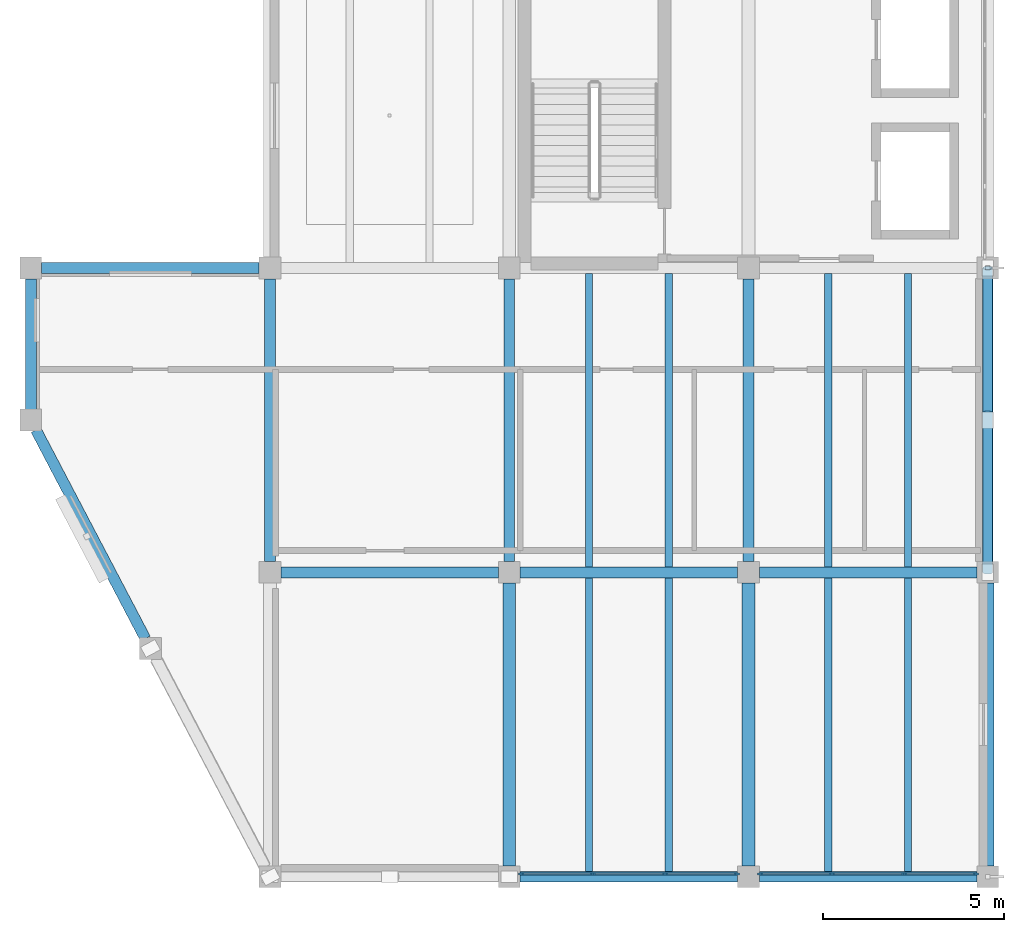
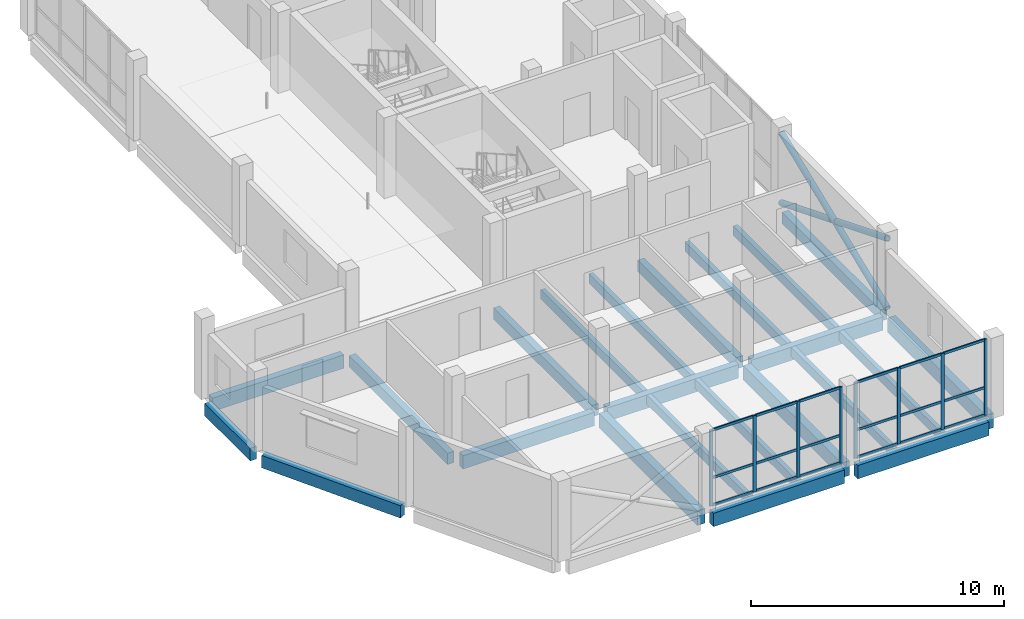
# One storey, part 2 of 12: 29 members, 23 beams, 2 elements without a shape of their own.
"""IFC4 building model written with IfcOpenShell, lengths in metres."""

from ifc_helpers import new_model, si_unit, direction, frame, origin, origin_2d, place, context, subcontext, project, spatial, rectangle, hollow_circle, extrude, material, material_profile, profile_set, type_object, element, aggregate, save


model = new_model("IFC4")

# Units and contexts
model_context = context("Model", 3, precision=1e-05, world=origin(), true_north=direction((0.0, 1.0)))
body_context = subcontext(model_context, "Body", "Model", "MODEL_VIEW")
ifc_project = project(units=[si_unit("LENGTHUNIT", "METRE"), si_unit("AREAUNIT", "SQUARE_METRE"), si_unit("VOLUMEUNIT", "CUBIC_METRE"), si_unit("PLANEANGLEUNIT", "RADIAN"), si_unit("MASSUNIT", "GRAM", prefix="KILO")], contexts=[model_context])

# Site, building, storey
site_placement = place(None, origin())
site = spatial("IfcSite", under=ifc_project, at=site_placement, CompositionType="ELEMENT")
building_placement = place(site_placement, origin())
building = spatial("IfcBuilding", under=site, at=building_placement, Name="Qaldarim Faculty of Natural and Applied Sciences", CompositionType="ELEMENT")
storey_placement = place(building_placement, frame((0.0, 0.0, 35.39990234375)))
storey = spatial("IfcBuildingStorey", under=building, at=storey_placement, Name="L08", CompositionType="ELEMENT", Elevation=35.39990234375)

# Beams
ifc_material_1 = material(Name="Concrete C40/50", Category="concrete")
ifc_material_profile_1 = material_profile(ifc_material_1, rectangle(XDim=0.300048828125, YDim=0.550048828125, at=origin_2d()), Name="RC-B300x550")
ifc_profile_set_1 = profile_set([ifc_material_profile_1], Name="Concrete C40/50")
beam_type_1 = type_object("IfcBeamType", Name="FloorBeam-RC300x550", PredefinedType="BEAM", material=ifc_profile_set_1)
for number, where, z_axis, x_axis, name in (
    (1, (158.39990234375, 8.699951171875, -0.494873046875), (0.0, 1.0, 0.0), (-1.0, 0.0, 0.0), "Beam RC-B300x550 L07 X25/Y02-Y03"),
    (2, (165.0, 8.699951171875, -0.494873046875), (0.0, 1.0, 0.0), (-1.0, 0.0, 0.0), "Beam RC-B300x550 L07 X26/Y02-Y03"),
    (3, (171.60009765625, 8.699951171875, -0.494873046875), (0.0, 1.0, 0.0), (-1.0, 0.0, 0.0), "Beam RC-B300x550 L07 X27/Y02-Y03"),
    (4, (178.199951171875, 8.699951171875, -0.494873046875), (0.0, 1.0, 0.0), (-1.0, 0.0, 0.0), "Beam RC-B300x550 L07 X28/Y02-Y03"),
):
    element("IfcBeam", number, at=place(storey_placement, frame(where, z_axis=z_axis, x_axis=x_axis)), inside=storey, type_object=beam_type_1, Name=name, PredefinedType="BEAM", context=body_context, shape_type="SweptSolid", body=[
        extrude(rectangle(XDim=0.300048828125, YDim=0.550048828125, at=origin_2d()), origin(), (0.0, 0.0, 1.0), 7.800048828125),
    ])
ifc_material_profile_2 = material_profile(ifc_material_1, rectangle(XDim=0.199951171875, YDim=0.449951171875, at=origin_2d()), Name="RC-J200x450")
ifc_profile_set_2 = profile_set([ifc_material_profile_2], Name="Concrete C40/50")
beam_type_2 = type_object("IfcBeamType", Name="LabJoist-RC200x450", PredefinedType="JOIST", material=ifc_profile_set_2)
for number, where, z_axis, x_axis, name in (
    (5, (167.199951171875, 0.14990234375, -0.44482421875), (0.0, 1.0, 0.0), (-1.0, 0.0, 0.0), "Laboratory joist L07 bay X26Y01-1"),
    (6, (169.39990234375, 0.14990234375, -0.44482421875), (0.0, 1.0, 0.0), (-1.0, 0.0, 0.0), "Laboratory joist L07 bay X26Y01-2"),
):
    element("IfcBeam", number, at=place(storey_placement, frame(where, z_axis=z_axis, x_axis=x_axis)), inside=storey, type_object=beam_type_2, Name=name, PredefinedType="JOIST", context=body_context, shape_type="SweptSolid", body=[
        extrude(rectangle(XDim=0.199951171875, YDim=0.449951171875, at=origin_2d()), origin(), (0.0, 0.0, 1.0), 8.10009765625),
    ])
for number, where, z_axis, x_axis, name in (
    (7, (167.199951171875, 8.550048828125, -0.44482421875), (0.0, 1.0, 0.0), (-1.0, 0.0, 0.0), "Laboratory joist L07 bay X26Y02-1"),
    (8, (169.39990234375, 8.550048828125, -0.44482421875), (0.0, 1.0, 0.0), (-1.0, 0.0, 0.0), "Laboratory joist L07 bay X26Y02-2"),
):
    element("IfcBeam", number, at=place(storey_placement, frame(where, z_axis=z_axis, x_axis=x_axis)), inside=storey, type_object=beam_type_2, Name=name, PredefinedType="JOIST", context=body_context, shape_type="SweptSolid", body=[
        extrude(rectangle(XDim=0.199951171875, YDim=0.449951171875, at=origin_2d()), origin(), (0.0, 0.0, 1.0), 8.099853515625),
    ])
for number, where, z_axis, x_axis, name in (
    (9, (173.800048828125, 0.14990234375, -0.44482421875), (0.0, 1.0, 0.0), (-1.0, 0.0, 0.0), "Laboratory joist L07 bay X27Y01-1"),
    (10, (176.0, 0.14990234375, -0.44482421875), (0.0, 1.0, 0.0), (-1.0, 0.0, 0.0), "Laboratory joist L07 bay X27Y01-2"),
):
    element("IfcBeam", number, at=place(storey_placement, frame(where, z_axis=z_axis, x_axis=x_axis)), inside=storey, type_object=beam_type_2, Name=name, PredefinedType="JOIST", context=body_context, shape_type="SweptSolid", body=[
        extrude(rectangle(XDim=0.199951171875, YDim=0.449951171875, at=origin_2d()), origin(), (0.0, 0.0, 1.0), 8.10009765625),
    ])
for number, where, z_axis, x_axis, name in (
    (11, (173.800048828125, 8.550048828125, -0.44482421875), (0.0, 1.0, 0.0), (-1.0, 0.0, 0.0), "Laboratory joist L07 bay X27Y02-1"),
    (12, (176.0, 8.550048828125, -0.44482421875), (0.0, 1.0, 0.0), (-1.0, 0.0, 0.0), "Laboratory joist L07 bay X27Y02-2"),
):
    element("IfcBeam", number, at=place(storey_placement, frame(where, z_axis=z_axis, x_axis=x_axis)), inside=storey, type_object=beam_type_2, Name=name, PredefinedType="JOIST", context=body_context, shape_type="SweptSolid", body=[
        extrude(rectangle(XDim=0.199951171875, YDim=0.449951171875, at=origin_2d()), origin(), (0.0, 0.0, 1.0), 8.099853515625),
    ])

# Curtain wall, members
ifc_material_2 = material(Name="Anodised aluminium AW-6063", Category="aluminium")
curtain_wall_type = type_object("IfcCurtainWallType", Name="CurtainWallSystem-M1800", PredefinedType="USERDEFINED", material=ifc_material_2)
curtain_wall_1_placement = place(storey_placement, origin())
curtain_wall_1 = element("IfcCurtainWall", 13, at=curtain_wall_1_placement, inside=storey, type_object=curtain_wall_type, Name="Curtain wall CW-L08-S-X26Y01", ObjectType="UNITISED FACADE", PredefinedType="USERDEFINED")
ifc_material_profile_3 = material_profile(ifc_material_2, rectangle(XDim=0.06005859375, YDim=0.14990234375, at=origin_2d()), Name="ALU-M60x150")
ifc_profile_set_3 = profile_set([ifc_material_profile_3], Name="Anodised aluminium AW-6063")
member_type_1 = type_object("IfcMemberType", Name="Mullion-ALU60x150", PredefinedType="MULLION", material=ifc_profile_set_3)
member_1_placement = place(storey_placement, frame((165.324951171875, 0.080078125, 0.0), z_axis=(0.0, 0.0, 1.0), x_axis=(0.0, 1.0, 0.0)))
member_1 = element("IfcMember", 14, at=member_1_placement, type_object=member_type_1, Name="Mullion 1 of CW-L08-S-X26Y01", PredefinedType="MULLION", context=body_context, shape_type="SweptSolid", body=[
    extrude(rectangle(XDim=0.06005859375, YDim=0.14990234375, at=origin_2d()), origin(), (0.0, 0.0, 1.0), 3.68017578125),
])
member_2_placement = place(storey_placement, frame((167.29833984375, 0.080078125, 0.0), z_axis=(0.0, 0.0, 1.0), x_axis=(0.0, 1.0, 0.0)))
member_2 = element("IfcMember", 15, at=member_2_placement, type_object=member_type_1, Name="Mullion 2 of CW-L08-S-X26Y01", PredefinedType="MULLION", context=body_context, shape_type="SweptSolid", body=[
    extrude(rectangle(XDim=0.06005859375, YDim=0.14990234375, at=origin_2d()), origin(), (0.0, 0.0, 1.0), 3.68017578125),
])
member_3_placement = place(storey_placement, frame((169.3017578125, 0.080078125, 0.0), z_axis=(0.0, 0.0, 1.0), x_axis=(0.0, 1.0, 0.0)))
member_3 = element("IfcMember", 16, at=member_3_placement, type_object=member_type_1, Name="Mullion 3 of CW-L08-S-X26Y01", PredefinedType="MULLION", context=body_context, shape_type="SweptSolid", body=[
    extrude(rectangle(XDim=0.06005859375, YDim=0.14990234375, at=origin_2d()), origin(), (0.0, 0.0, 1.0), 3.68017578125),
])
member_4_placement = place(storey_placement, frame((171.27490234375, 0.080078125, 0.0), z_axis=(0.0, 0.0, 1.0), x_axis=(0.0, 1.0, 0.0)))
member_4 = element("IfcMember", 17, at=member_4_placement, type_object=member_type_1, Name="Mullion 4 of CW-L08-S-X26Y01", PredefinedType="MULLION", context=body_context, shape_type="SweptSolid", body=[
    extrude(rectangle(XDim=0.06005859375, YDim=0.14990234375, at=origin_2d()), origin(), (0.0, 0.0, 1.0), 3.68017578125),
])

curtain_wall_2_placement = place(storey_placement, origin())
curtain_wall_2 = element("IfcCurtainWall", 18, at=curtain_wall_2_placement, inside=storey, type_object=curtain_wall_type, Name="Curtain wall CW-L08-S-X27Y01", ObjectType="UNITISED FACADE", PredefinedType="USERDEFINED")
member_5_placement = place(storey_placement, frame((171.925048828125, 0.080078125, 0.0), z_axis=(0.0, 0.0, 1.0), x_axis=(0.0, 1.0, 0.0)))
member_5 = element("IfcMember", 19, at=member_5_placement, type_object=member_type_1, Name="Mullion 1 of CW-L08-S-X27Y01", PredefinedType="MULLION", context=body_context, shape_type="SweptSolid", body=[
    extrude(rectangle(XDim=0.06005859375, YDim=0.14990234375, at=origin_2d()), origin(), (0.0, 0.0, 1.0), 3.68017578125),
])
member_6_placement = place(storey_placement, frame((173.898193359375, 0.080078125, 0.0), z_axis=(0.0, 0.0, 1.0), x_axis=(0.0, 1.0, 0.0)))
member_6 = element("IfcMember", 20, at=member_6_placement, type_object=member_type_1, Name="Mullion 2 of CW-L08-S-X27Y01", PredefinedType="MULLION", context=body_context, shape_type="SweptSolid", body=[
    extrude(rectangle(XDim=0.06005859375, YDim=0.14990234375, at=origin_2d()), origin(), (0.0, 0.0, 1.0), 3.68017578125),
])
member_7_placement = place(storey_placement, frame((175.901611328125, 0.080078125, 0.0), z_axis=(0.0, 0.0, 1.0), x_axis=(0.0, 1.0, 0.0)))
member_7 = element("IfcMember", 21, at=member_7_placement, type_object=member_type_1, Name="Mullion 3 of CW-L08-S-X27Y01", PredefinedType="MULLION", context=body_context, shape_type="SweptSolid", body=[
    extrude(rectangle(XDim=0.06005859375, YDim=0.14990234375, at=origin_2d()), origin(), (0.0, 0.0, 1.0), 3.68017578125),
])
member_8_placement = place(storey_placement, frame((177.875, 0.080078125, 0.0), z_axis=(0.0, 0.0, 1.0), x_axis=(0.0, 1.0, 0.0)))
member_8 = element("IfcMember", 22, at=member_8_placement, type_object=member_type_1, Name="Mullion 4 of CW-L08-S-X27Y01", PredefinedType="MULLION", context=body_context, shape_type="SweptSolid", body=[
    extrude(rectangle(XDim=0.06005859375, YDim=0.14990234375, at=origin_2d()), origin(), (0.0, 0.0, 1.0), 3.68017578125),
])

# Members
ifc_material_3 = material(Name="Structural steel S355", Category="steel")
ifc_material_profile_4 = material_profile(ifc_material_3, hollow_circle(Radius=0.136474609375, WallThickness=0.01611328125, at=origin_2d()), Name="CHS 273.0x16.0")
ifc_profile_set_4 = profile_set([ifc_material_profile_4], Name="Structural steel S355")
member_type_2 = type_object("IfcMemberType", Name="PortalBrace-CHS273x16", PredefinedType="BRACE", material=ifc_profile_set_4)
member_9_placement = place(storey_placement, frame((178.199951171875, 8.39990234375, 0.0), z_axis=(0.0, 0.927710467921, 0.373300532693), x_axis=(-1.0, 0.0, 0.0)))
element("IfcMember", 23, at=member_9_placement, inside=storey, type_object=member_type_2, Name="East diagrid L08 primary brace L", PredefinedType="BRACE", context=body_context, shape_type="SweptSolid", body=[
    extrude(hollow_circle(Radius=0.136474609375, WallThickness=0.01611328125, at=origin_2d()), origin(), (0.0, 0.0, 1.0), 9.0546875),
])
for number, where, z_axis, x_axis, name in (
    (24, (178.199951171875, 16.800048828125, 0.0), (0.0, -0.927508042448, 0.373803198481), (1.0, 0.0, 0.0), "East diagrid L08 split secondary lower brace R1"),
    (25, (178.199951171875, 12.39501953125, 1.77001953125), (0.0, -0.927508042448, 0.373803198481), (1.0, 0.0, 0.0), "East diagrid L08 split secondary upper brace R2"),
):
    element("IfcMember", number, at=place(storey_placement, frame(where, z_axis=z_axis, x_axis=x_axis)), inside=storey, type_object=member_type_2, Name=name, PredefinedType="BRACE", context=body_context, shape_type="SweptSolid", body=[
        extrude(hollow_circle(Radius=0.136474609375, WallThickness=0.01611328125, at=origin_2d()), origin(), (0.0, 0.0, 1.0), 4.307373046875),
    ])

# Beams
ifc_material_profile_5 = material_profile(ifc_material_1, rectangle(XDim=0.300048828125, YDim=0.64990234375, at=origin_2d()), Name="RC-B300x650")
ifc_profile_set_5 = profile_set([ifc_material_profile_5], Name="Concrete C40/50")
beam_type_3 = type_object("IfcBeamType", Name="PrimaryBeam-RC300x650", PredefinedType="BEAM", material=ifc_profile_set_5)
for number, where, z_axis, x_axis, name in (
    (26, (165.300048828125, 0.0, -0.544921875), (1.0, 0.0, 0.0), (0.0, 1.0, 0.0), "Beam RC-B300x650 L07 X26-X27/Y01"),
    (27, (171.89990234375, 0.0, -0.544921875), (1.0, 0.0, 0.0), (0.0, 1.0, 0.0), "Beam RC-B300x650 L07 X27-X28/Y01"),
    (28, (158.699951171875, 8.39990234375, -0.544921875), (1.0, 0.0, 0.0), (0.0, 1.0, 0.0), "Beam RC-B300x650 L07 X25-X26/Y02"),
    (29, (165.300048828125, 8.39990234375, -0.544921875), (1.0, 0.0, 0.0), (0.0, 1.0, 0.0), "Beam RC-B300x650 L07 X26-X27/Y02"),
    (30, (171.89990234375, 8.39990234375, -0.544921875), (1.0, 0.0, 0.0), (0.0, 1.0, 0.0), "Beam RC-B300x650 L07 X27-X28/Y02"),
    (31, (152.10009765625, 16.800048828125, -0.544921875), (1.0, 0.0, 0.0), (0.0, 1.0, 0.0), "Beam RC-B300x650 L07 X24-X25/Y03"),
):
    element("IfcBeam", number, at=place(storey_placement, frame(where, z_axis=z_axis, x_axis=x_axis)), inside=storey, type_object=beam_type_3, Name=name, PredefinedType="BEAM", context=body_context, shape_type="SweptSolid", body=[
        extrude(rectangle(XDim=0.300048828125, YDim=0.64990234375, at=origin_2d()), origin(), (0.0, 0.0, 1.0), 6.0),
    ])
ifc_material_profile_6 = material_profile(ifc_material_1, rectangle(XDim=0.35009765625, YDim=0.699951171875, at=origin_2d()), Name="RC-B350x700")
ifc_profile_set_6 = profile_set([ifc_material_profile_6], Name="Concrete C40/50")
beam_type_4 = type_object("IfcBeamType", Name="PrimaryGirder-RC350x700", PredefinedType="BEAM", material=ifc_profile_set_6)
for number, where, z_axis, x_axis, name in (
    (32, (165.0, 0.300048828125, -0.56982421875), (0.0, 1.0, 0.0), (-1.0, 0.0, 0.0), "Beam RC-B350x700 L07 X26/Y01-Y02"),
    (33, (171.60009765625, 0.300048828125, -0.56982421875), (0.0, 1.0, 0.0), (-1.0, 0.0, 0.0), "Beam RC-B350x700 L07 X27/Y01-Y02"),
    (34, (178.199951171875, 0.300048828125, -0.56982421875), (0.0, 1.0, 0.0), (-1.0, 0.0, 0.0), "Beam RC-B350x700 L07 X28/Y01-Y02"),
):
    element("IfcBeam", number, at=place(storey_placement, frame(where, z_axis=z_axis, x_axis=x_axis)), inside=storey, type_object=beam_type_4, Name=name, PredefinedType="BEAM", context=body_context, shape_type="SweptSolid", body=[
        extrude(rectangle(XDim=0.35009765625, YDim=0.699951171875, at=origin_2d()), origin(), (0.0, 0.0, 1.0), 7.800048828125),
    ])
ifc_material_4 = material(Name="Precast concrete C40/50", Category="concrete")
ifc_material_profile_7 = material_profile(ifc_material_4, rectangle(XDim=0.300048828125, YDim=0.60009765625, at=origin_2d()), Name="RC-SP300x600")
ifc_profile_set_7 = profile_set([ifc_material_profile_7], Name="Precast concrete C40/50")
beam_type_5 = type_object("IfcBeamType", Name="SpandrelBeam-RC300x600", PredefinedType="SPANDREL", material=ifc_profile_set_7)
beam_1_placement = place(storey_placement, frame((151.800048828125, 16.5, -0.52001953125), z_axis=(0.0, -1.0, 0.0), x_axis=(1.0, 0.0, 0.0)))
element("IfcBeam", 35, at=beam_1_placement, inside=storey, type_object=beam_type_5, Name="Oblique SW chamfer spandrel L07 1", PredefinedType="SPANDREL", context=body_context, shape_type="SweptSolid", body=[
    extrude(rectangle(XDim=0.300048828125, YDim=0.60009765625, at=origin_2d()), origin(), (0.0, 0.0, 1.0), 3.60009765625),
])
beam_2_placement = place(storey_placement, frame((151.93994140625, 12.330078125, -0.52001953125), z_axis=(0.464353423794, -0.885649986061, 0.0), x_axis=(0.885649986061, 0.464353423794, 0.0)))
element("IfcBeam", 36, at=beam_2_placement, inside=storey, type_object=beam_type_5, Name="Oblique SW chamfer spandrel L07 2", PredefinedType="SPANDREL", context=body_context, shape_type="SweptSolid", body=[
    extrude(rectangle(XDim=0.300048828125, YDim=0.60009765625, at=origin_2d()), origin(), (0.0, 0.0, 1.0), 6.503662109375),
])

# Member
ifc_material_profile_8 = material_profile(ifc_material_2, rectangle(XDim=0.06005859375, YDim=0.1201171875, at=origin_2d()), Name="ALU-T60x120")
ifc_profile_set_8 = profile_set([ifc_material_profile_8], Name="Anodised aluminium AW-6063")
member_type_3 = type_object("IfcMemberType", Name="Transom-ALU60x120", PredefinedType="USERDEFINED", material=ifc_profile_set_8)
member_10_placement = place(storey_placement, frame((165.35498046875, 0.080078125, 0.030029296875), z_axis=(1.0, 0.0, 0.0), x_axis=(0.0, 1.0, 0.0)))
member_10 = element("IfcMember", 37, at=member_10_placement, type_object=member_type_3, Name="Transom 1-1 of CW-L08-S-X26Y01", ObjectType="TRANSOM", PredefinedType="USERDEFINED", context=body_context, shape_type="SweptSolid", body=[
    extrude(rectangle(XDim=0.06005859375, YDim=0.1201171875, at=origin_2d()), origin(), (0.0, 0.0, 1.0), 1.913330078125),
])

member_11_placement = place(storey_placement, frame((165.35498046875, 0.080078125, 1.35009765625), z_axis=(1.0, 0.0, 0.0), x_axis=(0.0, 1.0, 0.0)))
member_11 = element("IfcMember", 38, at=member_11_placement, type_object=member_type_3, Name="Transom 1-2 of CW-L08-S-X26Y01", ObjectType="TRANSOM", PredefinedType="USERDEFINED", context=body_context, shape_type="SweptSolid", body=[
    extrude(rectangle(XDim=0.06005859375, YDim=0.1201171875, at=origin_2d()), origin(), (0.0, 0.0, 1.0), 1.913330078125),
])

member_12_placement = place(storey_placement, frame((165.35498046875, 0.080078125, 3.650146484375), z_axis=(1.0, 0.0, 0.0), x_axis=(0.0, 1.0, 0.0)))
member_12 = element("IfcMember", 39, at=member_12_placement, type_object=member_type_3, Name="Transom 1-3 of CW-L08-S-X26Y01", ObjectType="TRANSOM", PredefinedType="USERDEFINED", context=body_context, shape_type="SweptSolid", body=[
    extrude(rectangle(XDim=0.06005859375, YDim=0.1201171875, at=origin_2d()), origin(), (0.0, 0.0, 1.0), 1.913330078125),
])

member_13_placement = place(storey_placement, frame((167.328369140625, 0.080078125, 0.030029296875), z_axis=(1.0, 0.0, 0.0), x_axis=(0.0, 1.0, 0.0)))
member_13 = element("IfcMember", 40, at=member_13_placement, type_object=member_type_3, Name="Transom 2-1 of CW-L08-S-X26Y01", ObjectType="TRANSOM", PredefinedType="USERDEFINED", context=body_context, shape_type="SweptSolid", body=[
    extrude(rectangle(XDim=0.06005859375, YDim=0.1201171875, at=origin_2d()), origin(), (0.0, 0.0, 1.0), 1.943359375),
])

member_14_placement = place(storey_placement, frame((167.328369140625, 0.080078125, 1.35009765625), z_axis=(1.0, 0.0, 0.0), x_axis=(0.0, 1.0, 0.0)))
member_14 = element("IfcMember", 41, at=member_14_placement, type_object=member_type_3, Name="Transom 2-2 of CW-L08-S-X26Y01", ObjectType="TRANSOM", PredefinedType="USERDEFINED", context=body_context, shape_type="SweptSolid", body=[
    extrude(rectangle(XDim=0.06005859375, YDim=0.1201171875, at=origin_2d()), origin(), (0.0, 0.0, 1.0), 1.943359375),
])

member_15_placement = place(storey_placement, frame((167.328369140625, 0.080078125, 3.650146484375), z_axis=(1.0, 0.0, 0.0), x_axis=(0.0, 1.0, 0.0)))
member_15 = element("IfcMember", 42, at=member_15_placement, type_object=member_type_3, Name="Transom 2-3 of CW-L08-S-X26Y01", ObjectType="TRANSOM", PredefinedType="USERDEFINED", context=body_context, shape_type="SweptSolid", body=[
    extrude(rectangle(XDim=0.06005859375, YDim=0.1201171875, at=origin_2d()), origin(), (0.0, 0.0, 1.0), 1.943359375),
])

member_16_placement = place(storey_placement, frame((169.331787109375, 0.080078125, 0.030029296875), z_axis=(1.0, 0.0, 0.0), x_axis=(0.0, 1.0, 0.0)))
member_16 = element("IfcMember", 43, at=member_16_placement, type_object=member_type_3, Name="Transom 3-1 of CW-L08-S-X26Y01", ObjectType="TRANSOM", PredefinedType="USERDEFINED", context=body_context, shape_type="SweptSolid", body=[
    extrude(rectangle(XDim=0.06005859375, YDim=0.1201171875, at=origin_2d()), origin(), (0.0, 0.0, 1.0), 1.913330078125),
])

member_17_placement = place(storey_placement, frame((169.331787109375, 0.080078125, 1.35009765625), z_axis=(1.0, 0.0, 0.0), x_axis=(0.0, 1.0, 0.0)))
member_17 = element("IfcMember", 44, at=member_17_placement, type_object=member_type_3, Name="Transom 3-2 of CW-L08-S-X26Y01", ObjectType="TRANSOM", PredefinedType="USERDEFINED", context=body_context, shape_type="SweptSolid", body=[
    extrude(rectangle(XDim=0.06005859375, YDim=0.1201171875, at=origin_2d()), origin(), (0.0, 0.0, 1.0), 1.913330078125),
])

member_18_placement = place(storey_placement, frame((169.331787109375, 0.080078125, 3.650146484375), z_axis=(1.0, 0.0, 0.0), x_axis=(0.0, 1.0, 0.0)))
member_18 = element("IfcMember", 45, at=member_18_placement, type_object=member_type_3, Name="Transom 3-3 of CW-L08-S-X26Y01", ObjectType="TRANSOM", PredefinedType="USERDEFINED", context=body_context, shape_type="SweptSolid", body=[
    extrude(rectangle(XDim=0.06005859375, YDim=0.1201171875, at=origin_2d()), origin(), (0.0, 0.0, 1.0), 1.913330078125),
])

aggregate(curtain_wall_1, [member_1, member_2, member_3, member_4, member_10, member_11, member_12, member_13, member_14, member_15, member_16, member_17, member_18])

member_19_placement = place(storey_placement, frame((171.955078125, 0.080078125, 0.030029296875), z_axis=(1.0, 0.0, 0.0), x_axis=(0.0, 1.0, 0.0)))
member_19 = element("IfcMember", 46, at=member_19_placement, type_object=member_type_3, Name="Transom 1-1 of CW-L08-S-X27Y01", ObjectType="TRANSOM", PredefinedType="USERDEFINED", context=body_context, shape_type="SweptSolid", body=[
    extrude(rectangle(XDim=0.06005859375, YDim=0.1201171875, at=origin_2d()), origin(), (0.0, 0.0, 1.0), 1.913330078125),
])

member_20_placement = place(storey_placement, frame((171.955078125, 0.080078125, 1.35009765625), z_axis=(1.0, 0.0, 0.0), x_axis=(0.0, 1.0, 0.0)))
member_20 = element("IfcMember", 47, at=member_20_placement, type_object=member_type_3, Name="Transom 1-2 of CW-L08-S-X27Y01", ObjectType="TRANSOM", PredefinedType="USERDEFINED", context=body_context, shape_type="SweptSolid", body=[
    extrude(rectangle(XDim=0.06005859375, YDim=0.1201171875, at=origin_2d()), origin(), (0.0, 0.0, 1.0), 1.913330078125),
])

member_21_placement = place(storey_placement, frame((171.955078125, 0.080078125, 3.650146484375), z_axis=(1.0, 0.0, 0.0), x_axis=(0.0, 1.0, 0.0)))
member_21 = element("IfcMember", 48, at=member_21_placement, type_object=member_type_3, Name="Transom 1-3 of CW-L08-S-X27Y01", ObjectType="TRANSOM", PredefinedType="USERDEFINED", context=body_context, shape_type="SweptSolid", body=[
    extrude(rectangle(XDim=0.06005859375, YDim=0.1201171875, at=origin_2d()), origin(), (0.0, 0.0, 1.0), 1.913330078125),
])

member_22_placement = place(storey_placement, frame((173.92822265625, 0.080078125, 0.030029296875), z_axis=(1.0, 0.0, 0.0), x_axis=(0.0, 1.0, 0.0)))
member_22 = element("IfcMember", 49, at=member_22_placement, type_object=member_type_3, Name="Transom 2-1 of CW-L08-S-X27Y01", ObjectType="TRANSOM", PredefinedType="USERDEFINED", context=body_context, shape_type="SweptSolid", body=[
    extrude(rectangle(XDim=0.06005859375, YDim=0.1201171875, at=origin_2d()), origin(), (0.0, 0.0, 1.0), 1.943359375),
])

member_23_placement = place(storey_placement, frame((173.92822265625, 0.080078125, 1.35009765625), z_axis=(1.0, 0.0, 0.0), x_axis=(0.0, 1.0, 0.0)))
member_23 = element("IfcMember", 50, at=member_23_placement, type_object=member_type_3, Name="Transom 2-2 of CW-L08-S-X27Y01", ObjectType="TRANSOM", PredefinedType="USERDEFINED", context=body_context, shape_type="SweptSolid", body=[
    extrude(rectangle(XDim=0.06005859375, YDim=0.1201171875, at=origin_2d()), origin(), (0.0, 0.0, 1.0), 1.943359375),
])

member_24_placement = place(storey_placement, frame((173.92822265625, 0.080078125, 3.650146484375), z_axis=(1.0, 0.0, 0.0), x_axis=(0.0, 1.0, 0.0)))
member_24 = element("IfcMember", 51, at=member_24_placement, type_object=member_type_3, Name="Transom 2-3 of CW-L08-S-X27Y01", ObjectType="TRANSOM", PredefinedType="USERDEFINED", context=body_context, shape_type="SweptSolid", body=[
    extrude(rectangle(XDim=0.06005859375, YDim=0.1201171875, at=origin_2d()), origin(), (0.0, 0.0, 1.0), 1.943359375),
])

member_25_placement = place(storey_placement, frame((175.931640625, 0.080078125, 0.030029296875), z_axis=(1.0, 0.0, 0.0), x_axis=(0.0, 1.0, 0.0)))
member_25 = element("IfcMember", 52, at=member_25_placement, type_object=member_type_3, Name="Transom 3-1 of CW-L08-S-X27Y01", ObjectType="TRANSOM", PredefinedType="USERDEFINED", context=body_context, shape_type="SweptSolid", body=[
    extrude(rectangle(XDim=0.06005859375, YDim=0.1201171875, at=origin_2d()), origin(), (0.0, 0.0, 1.0), 1.913330078125),
])

member_26_placement = place(storey_placement, frame((175.931640625, 0.080078125, 1.35009765625), z_axis=(1.0, 0.0, 0.0), x_axis=(0.0, 1.0, 0.0)))
member_26 = element("IfcMember", 53, at=member_26_placement, type_object=member_type_3, Name="Transom 3-2 of CW-L08-S-X27Y01", ObjectType="TRANSOM", PredefinedType="USERDEFINED", context=body_context, shape_type="SweptSolid", body=[
    extrude(rectangle(XDim=0.06005859375, YDim=0.1201171875, at=origin_2d()), origin(), (0.0, 0.0, 1.0), 1.913330078125),
])

member_27_placement = place(storey_placement, frame((175.931640625, 0.080078125, 3.650146484375), z_axis=(1.0, 0.0, 0.0), x_axis=(0.0, 1.0, 0.0)))
member_27 = element("IfcMember", 54, at=member_27_placement, type_object=member_type_3, Name="Transom 3-3 of CW-L08-S-X27Y01", ObjectType="TRANSOM", PredefinedType="USERDEFINED", context=body_context, shape_type="SweptSolid", body=[
    extrude(rectangle(XDim=0.06005859375, YDim=0.1201171875, at=origin_2d()), origin(), (0.0, 0.0, 1.0), 1.913330078125),
])

aggregate(curtain_wall_2, [member_5, member_6, member_7, member_8, member_19, member_20, member_21, member_22, member_23, member_24, member_25, member_26, member_27])

save(model, "model.ifc")
